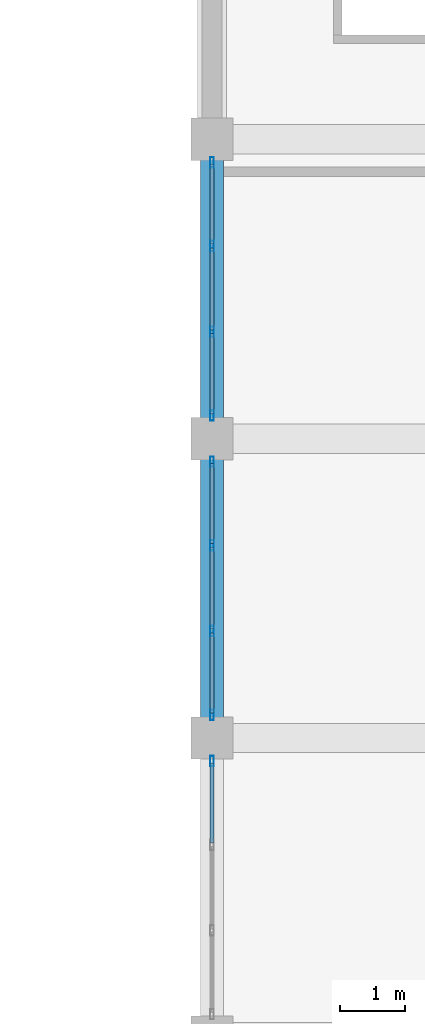
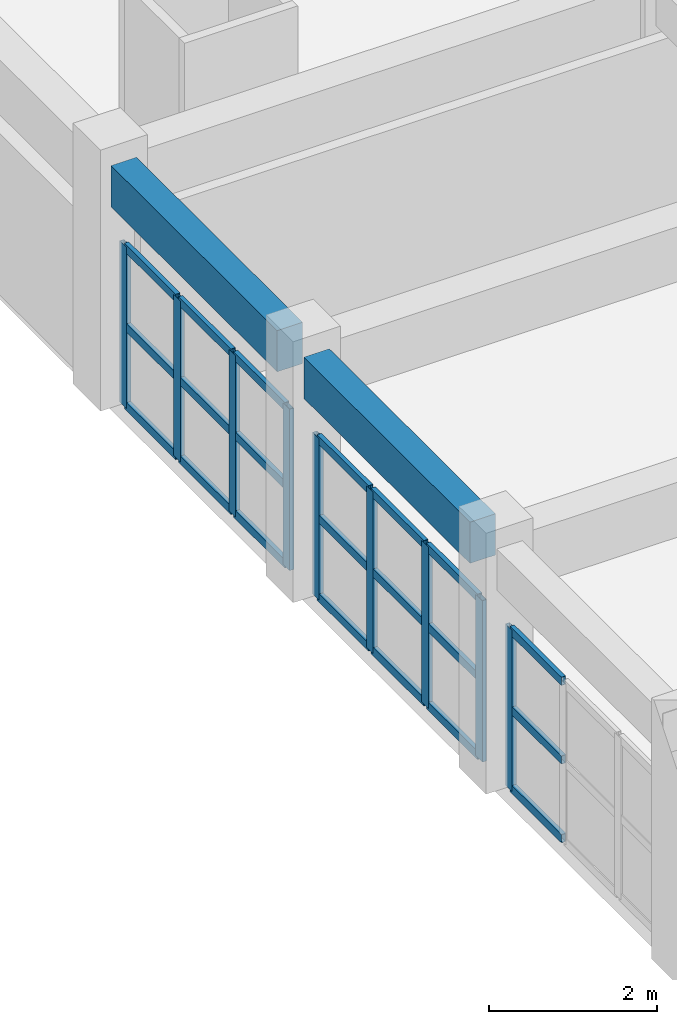
# One storey, part 12 of 74: 30 members, 2 beams, 3 elements without a shape of their own.
"""IFC4 building model written with IfcOpenShell, lengths in metres."""

import ifcopenshell
import ifcopenshell.guid

model = None  # the IFC model being written
_history = None  # IfcOwnerHistory: only IFC2X3 demands one
_inside = {}  # id of a spatial element -> (the spatial element, [elements in it])
_under = {}  # id of a project, library or spatial element -> (it, [spatial elements below it])
_declared = {}  # id of a project -> (the project, [libraries it declares])
_typed = {}  # id of a type object -> (the type object, [elements of that type])
_made_of = {}  # id of a material, layer set ... -> (it, [elements and type objects made of it])


def new_model(schema):
    """Start an empty IFC model of exactly this schema.

    Asked for "IFC4X3", IfcOpenShell would pick the latest addendum, in which some entities
    have other attributes; the version numbers below select the first issue.
    IFC2X3 requires an IfcOwnerHistory on every rooted entity: one is made here for all.
    """
    global model, _history
    if schema == "IFC4X3":
        model = ifcopenshell.file(schema_version=(4, 3, 0, 0))
    else:
        model = ifcopenshell.file(schema=schema)
    _inside.clear()
    _under.clear()
    _declared.clear()
    _typed.clear()
    _made_of.clear()
    _history = None
    if model.schema == "IFC2X3":
        org = make("IfcOrganization", Name="unknown")
        user = make(
            "IfcPersonAndOrganization",
            ThePerson=make("IfcPerson", FamilyName="unknown"),
            TheOrganization=org,
        )
        app = make(
            "IfcApplication",
            ApplicationDeveloper=org,
            Version="unknown",
            ApplicationFullName="unknown",
            ApplicationIdentifier="unknown",
        )
        _history = make(
            "IfcOwnerHistory",
            OwningUser=user,
            OwningApplication=app,
            ChangeAction="ADDED",
            CreationDate=0,
        )
    return model


def make(cls, **values):
    """One entity of the class cls with the attributes given. An attribute that is None is left unset."""
    return model.create_entity(
        cls, **{name: value for name, value in values.items() if value is not None}
    )


def rooted(cls, **values):
    """An entity with a GlobalId (a new one), such as an element, a storey or a relation."""
    return make(cls, GlobalId=ifcopenshell.guid.new(), OwnerHistory=_history, **values)


def si_unit(unit_type, name, prefix=None):
    """IfcSIUnit, for example si_unit("LENGTHUNIT", "METRE", prefix="MILLI")."""
    return make("IfcSIUnit", UnitType=unit_type, Prefix=prefix, Name=name)


def assignment(units):
    """IfcUnitAssignment: the units of a project."""
    return None if units is None else make("IfcUnitAssignment", Units=units)


def point(xyz):
    """IfcCartesianPoint."""
    return None if xyz is None else make("IfcCartesianPoint", Coordinates=xyz)


def direction(xyz):
    """IfcDirection."""
    return None if xyz is None else make("IfcDirection", DirectionRatios=xyz)


def frame(location, z_axis=None, x_axis=None):
    """IfcAxis2Placement3D, a coordinate frame: its origin and axes. An axis left out is left unset."""
    return make(
        "IfcAxis2Placement3D",
        Location=point(location),
        Axis=direction(z_axis),
        RefDirection=direction(x_axis),
    )


def frame_2d(location, x_axis=None):
    """IfcAxis2Placement2D, a coordinate frame in the plane: its origin and x axis."""
    return make(
        "IfcAxis2Placement2D", Location=point(location), RefDirection=direction(x_axis)
    )


def origin():
    """The frame at (0, 0, 0) with its axes left unset."""
    return frame((0.0, 0.0, 0.0))


def origin_2d():
    """The frame at (0, 0) in the plane with its x axis left unset."""
    return frame_2d((0.0, 0.0))


def place(relative_to, where):
    """IfcLocalPlacement: puts the frame where relative to a parent placement (None: the world)."""
    return make(
        "IfcLocalPlacement", PlacementRelTo=relative_to, RelativePlacement=where
    )


def context(
    kind, dimensions, precision=None, world=None, true_north=None, identifier=None
):
    """IfcGeometricRepresentationContext, for example the 3D "Model" context."""
    return make(
        "IfcGeometricRepresentationContext",
        ContextIdentifier=identifier,
        ContextType=kind,
        CoordinateSpaceDimension=dimensions,
        Precision=precision,
        WorldCoordinateSystem=world,
        TrueNorth=true_north,
    )


def subcontext(parent, identifier, kind, view, scale=None):
    """IfcGeometricRepresentationSubContext, for example "Body" below "Model"."""
    return make(
        "IfcGeometricRepresentationSubContext",
        ContextIdentifier=identifier,
        ContextType=kind,
        ParentContext=parent,
        TargetScale=scale,
        TargetView=view,
    )


def project(units=None, contexts=None):
    """IfcProject with its units and contexts."""
    return rooted(
        "IfcProject",
        Name="project",
        RepresentationContexts=contexts,
        UnitsInContext=assignment(units),
    )


def spatial(cls, under=None, at=None, **own):
    """A site, building, storey or space (cls), placed at a placement, below another one or the project."""
    s = rooted(cls, ObjectPlacement=at, **own)
    if under is not None:
        _under.setdefault(under.id(), (under, []))[1].append(s)
    return s


def profile(cls, at=None, kind="AREA", **sizes):
    """A parametric profile (cls). Its sizes go by their IFC names, for example OverallWidth=200.0."""
    return make(cls, ProfileType=kind, Position=at, **sizes)


def rectangle(**sizes):
    """IfcRectangleProfileDef."""
    return profile("IfcRectangleProfileDef", **sizes)


def hollow_rectangle(**sizes):
    """IfcRectangleHollowProfileDef."""
    return profile("IfcRectangleHollowProfileDef", **sizes)


def extrude(swept, where, along, depth):
    """IfcExtrudedAreaSolid: the profile swept, set in the frame where, extruded along a direction by depth."""
    return make(
        "IfcExtrudedAreaSolid",
        SweptArea=swept,
        Position=where,
        ExtrudedDirection=direction(along),
        Depth=depth,
    )


def shape(context_of_items, identifier, shape_type, items):
    """IfcShapeRepresentation: the items that make up one representation, for example the "Body"."""
    return make(
        "IfcShapeRepresentation",
        ContextOfItems=context_of_items,
        RepresentationIdentifier=identifier,
        RepresentationType=shape_type,
        Items=items,
    )


def material(Name=None, Category=None):
    """IfcMaterial."""
    return make("IfcMaterial", Name=Name, Category=Category)


def layer(
    of_material, thickness, ventilated=None, Name=None, Category=None, Priority=None
):
    """IfcMaterialLayer: one layer of a wall or slab, of a material (None: an air gap)."""
    return make(
        "IfcMaterialLayer",
        Material=of_material,
        LayerThickness=thickness,
        IsVentilated=ventilated,
        Name=Name,
        Category=Category,
        Priority=Priority,
    )


def layer_set(layers, Name=None):
    """IfcMaterialLayerSet."""
    return make("IfcMaterialLayerSet", MaterialLayers=layers, LayerSetName=Name)


def material_profile(
    of_material, cross_section, Name=None, Category=None, Priority=None
):
    """IfcMaterialProfile: a cross section and its material."""
    return make(
        "IfcMaterialProfile",
        Name=Name,
        Material=of_material,
        Profile=cross_section,
        Priority=Priority,
        Category=Category,
    )


def profile_set(profiles, Name=None, composite=None):
    """IfcMaterialProfileSet."""
    return make(
        "IfcMaterialProfileSet",
        Name=Name,
        MaterialProfiles=profiles,
        CompositeProfile=composite,
    )


def made_of(thing, what):
    """Note that an element or type object is made of a material, layer set ...; save() writes the relation."""
    if what is not None:
        _made_of.setdefault(what.id(), (what, []))[1].append(thing)
    return thing


def type_object(cls, material=None, **own):
    """A type object (cls), such as IfcWallType, which elements share."""
    return made_of(rooted(cls, **own), material)


def element(
    cls,
    number,
    at=None,
    inside=None,
    cuts=None,
    type_object=None,
    material=None,
    context=None,
    identifier="Body",
    shape_type=None,
    held_by="IfcProductDefinitionShape",
    body=None,
    shapes=None,
    **own,
):
    """One element of the class cls, such as IfcWall. Its Tag is "e" and its number.

    at: its placement. inside: the storey or other place that contains it. cuts: it is an
    opening in that element (IfcRelVoidsElement). A single representation is given by context,
    identifier, shape_type and body (its items); several are given by shapes. held_by: the class
    of the entity that holds the representations. save() writes the other relations.
    """
    e = rooted(cls, Tag="e%d" % number, ObjectPlacement=at, **own)
    if body is not None:
        shapes = [shape(context, identifier, shape_type, body)]
    if shapes is not None:
        e.Representation = make(held_by, Representations=shapes)
    if inside is not None:
        _inside.setdefault(inside.id(), (inside, []))[1].append(e)
    if cuts is not None:
        rooted(
            "IfcRelVoidsElement", RelatingBuildingElement=cuts, RelatedOpeningElement=e
        )
    if type_object is not None:
        _typed.setdefault(type_object.id(), (type_object, []))[1].append(e)
    return made_of(e, material)


def aggregate(whole, parts):
    """IfcRelAggregates: a whole, such as a stair, and the parts it consists of."""
    return rooted("IfcRelAggregates", RelatingObject=whole, RelatedObjects=parts)


def save(model, path):
    """Write the relations noted so far, then the file.

    IfcRelAggregates (storeys below a building ...), IfcRelContainedInSpatialStructure (elements
    in a storey), IfcRelDefinesByType, IfcRelAssociatesMaterial and IfcRelDeclares: one each for
    every whole, place, type object, material and project.
    """
    for whole, parts in _under.values():
        aggregate(whole, parts)
    for where, things in _inside.values():
        rooted(
            "IfcRelContainedInSpatialStructure",
            RelatedElements=things,
            RelatingStructure=where,
        )
    for kind, things in _typed.values():
        rooted("IfcRelDefinesByType", RelatedObjects=things, RelatingType=kind)
    for what, things in _made_of.values():
        rooted("IfcRelAssociatesMaterial", RelatedObjects=things, RelatingMaterial=what)
    for by, libraries in _declared.values():
        rooted("IfcRelDeclares", RelatingContext=by, RelatedDefinitions=libraries)
    model.write(path)


model = new_model("IFC4")

# Units and contexts
model_context = context("Model", 3, precision=1e-05, world=origin(), true_north=direction((0.0, 1.0)))
body_context = subcontext(model_context, "Body", "Model", "MODEL_VIEW")
ifc_project = project(units=[si_unit("LENGTHUNIT", "METRE"), si_unit("AREAUNIT", "SQUARE_METRE"), si_unit("VOLUMEUNIT", "CUBIC_METRE"), si_unit("PLANEANGLEUNIT", "RADIAN"), si_unit("MASSUNIT", "GRAM", prefix="KILO")], contexts=[model_context])

# Site, building, storey
site_placement = place(None, origin())
site = spatial("IfcSite", under=ifc_project, at=site_placement, CompositionType="ELEMENT")
building_placement = place(site_placement, origin())
building = spatial("IfcBuilding", under=site, at=building_placement, Name="Muzn Square Opera House", CompositionType="ELEMENT")
storey_placement = place(building_placement, frame((0.0, 0.0, 14.199951171875)))
storey = spatial("IfcBuildingStorey", under=building, at=storey_placement, Name="L03", CompositionType="ELEMENT", Elevation=14.199951171875)

# Curtain wall, member
ifc_material_1 = material(Name="Low-E laminated acoustic double glazing", Category="glass")
ifc_layer = layer(ifc_material_1, 0.159912109375, Name="Low-E laminated acoustic double glazing", Category="glass")
ifc_layer_set = layer_set([ifc_layer], Name="Low-E laminated acoustic double glazing")
curtain_wall_type = type_object("IfcCurtainWallType", Name="Glazed Curtain Wall WestCourt 3950x2350", PredefinedType="USERDEFINED", material=ifc_layer_set)
curtain_wall_1_placement = place(storey_placement, origin())
curtain_wall_1 = element("IfcCurtainWall", 1, at=curtain_wall_1_placement, inside=storey, type_object=curtain_wall_type, Name="Glazed Curtain Wall CW-L03-153", ObjectType="GLAZED CURTAIN WALL", PredefinedType="USERDEFINED")
ifc_material_2 = material(Name="Anodised bronze aluminium 6063-T6", Category="metal")
ifc_material_profile_1 = material_profile(ifc_material_2, hollow_rectangle(XDim=0.06005859375, YDim=0.159912109375, WallThickness=0.00390625, at=origin_2d()), Name="ALU 160x60x4", Category="metal")
ifc_profile_set_1 = profile_set([ifc_material_profile_1], Name="Anodised bronze aluminium 6063-T6")
member_type_1 = type_object("IfcMemberType", Name="Curtain Wall Mullion 160x60", PredefinedType="MULLION", material=ifc_profile_set_1)
member_1_placement = place(storey_placement, frame((19.0, 63.044921875, 0.0), z_axis=(0.0, 0.0, 1.0), x_axis=(-1.0, 0.0, 0.0)))
member_1 = element("IfcMember", 2, at=member_1_placement, type_object=member_type_1, Name="CW-WCT-39x23 mullion 4", PredefinedType="MULLION", context=body_context, shape_type="SweptSolid", body=[
    extrude(hollow_rectangle(XDim=0.06005859375, YDim=0.159912109375, WallThickness=0.00390625, at=origin_2d()), origin(), (0.0, 0.0, 1.0), 2.35009765625),
])

# Curtain wall, members
curtain_wall_2_placement = place(storey_placement, origin())
curtain_wall_2 = element("IfcCurtainWall", 3, at=curtain_wall_2_placement, inside=storey, type_object=curtain_wall_type, Name="Glazed Curtain Wall CW-L03-154", ObjectType="GLAZED CURTAIN WALL", PredefinedType="USERDEFINED")
member_2_placement = place(storey_placement, frame((19.0, 63.7548828125, 0.0), z_axis=(0.0, 0.0, 1.0), x_axis=(-1.0, 0.0, 0.0)))
member_2 = element("IfcMember", 4, at=member_2_placement, type_object=member_type_1, Name="CW-WCT-39x23 mullion 1", PredefinedType="MULLION", context=body_context, shape_type="SweptSolid", body=[
    extrude(hollow_rectangle(XDim=0.06005859375, YDim=0.159912109375, WallThickness=0.00390625, at=origin_2d()), origin(), (0.0, 0.0, 1.0), 2.35009765625),
])
member_3_placement = place(storey_placement, frame((19.0, 65.041748046875, 0.0), z_axis=(0.0, 0.0, 1.0), x_axis=(-1.0, 0.0, 0.0)))
member_3 = element("IfcMember", 5, at=member_3_placement, type_object=member_type_1, Name="CW-WCT-39x23 mullion 2", PredefinedType="MULLION", context=body_context, shape_type="SweptSolid", body=[
    extrude(hollow_rectangle(XDim=0.06005859375, YDim=0.159912109375, WallThickness=0.00390625, at=origin_2d()), origin(), (0.0, 0.0, 1.0), 2.35009765625),
])
member_4_placement = place(storey_placement, frame((19.0, 66.3583984375, 0.0), z_axis=(0.0, 0.0, 1.0), x_axis=(-1.0, 0.0, 0.0)))
member_4 = element("IfcMember", 6, at=member_4_placement, type_object=member_type_1, Name="CW-WCT-39x23 mullion 3", PredefinedType="MULLION", context=body_context, shape_type="SweptSolid", body=[
    extrude(hollow_rectangle(XDim=0.06005859375, YDim=0.159912109375, WallThickness=0.00390625, at=origin_2d()), origin(), (0.0, 0.0, 1.0), 2.35009765625),
])
member_5_placement = place(storey_placement, frame((19.0, 67.64501953125, 0.0), z_axis=(0.0, 0.0, 1.0), x_axis=(-1.0, 0.0, 0.0)))
member_5 = element("IfcMember", 7, at=member_5_placement, type_object=member_type_1, Name="CW-WCT-39x23 mullion 4", PredefinedType="MULLION", context=body_context, shape_type="SweptSolid", body=[
    extrude(hollow_rectangle(XDim=0.06005859375, YDim=0.159912109375, WallThickness=0.00390625, at=origin_2d()), origin(), (0.0, 0.0, 1.0), 2.35009765625),
])

curtain_wall_3_placement = place(storey_placement, origin())
curtain_wall_3 = element("IfcCurtainWall", 8, at=curtain_wall_3_placement, inside=storey, type_object=curtain_wall_type, Name="Glazed Curtain Wall CW-L03-155", ObjectType="GLAZED CURTAIN WALL", PredefinedType="USERDEFINED")
member_6_placement = place(storey_placement, frame((19.0, 68.35498046875, 0.0), z_axis=(0.0, 0.0, 1.0), x_axis=(-1.0, 0.0, 0.0)))
member_6 = element("IfcMember", 9, at=member_6_placement, type_object=member_type_1, Name="CW-WCT-39x23 mullion 1", PredefinedType="MULLION", context=body_context, shape_type="SweptSolid", body=[
    extrude(hollow_rectangle(XDim=0.06005859375, YDim=0.159912109375, WallThickness=0.00390625, at=origin_2d()), origin(), (0.0, 0.0, 1.0), 2.35009765625),
])
member_7_placement = place(storey_placement, frame((19.0, 69.6416015625, 0.0), z_axis=(0.0, 0.0, 1.0), x_axis=(-1.0, 0.0, 0.0)))
member_7 = element("IfcMember", 10, at=member_7_placement, type_object=member_type_1, Name="CW-WCT-39x23 mullion 2", PredefinedType="MULLION", context=body_context, shape_type="SweptSolid", body=[
    extrude(hollow_rectangle(XDim=0.06005859375, YDim=0.159912109375, WallThickness=0.00390625, at=origin_2d()), origin(), (0.0, 0.0, 1.0), 2.35009765625),
])
member_8_placement = place(storey_placement, frame((19.0, 70.958251953125, 0.0), z_axis=(0.0, 0.0, 1.0), x_axis=(-1.0, 0.0, 0.0)))
member_8 = element("IfcMember", 11, at=member_8_placement, type_object=member_type_1, Name="CW-WCT-39x23 mullion 3", PredefinedType="MULLION", context=body_context, shape_type="SweptSolid", body=[
    extrude(hollow_rectangle(XDim=0.06005859375, YDim=0.159912109375, WallThickness=0.00390625, at=origin_2d()), origin(), (0.0, 0.0, 1.0), 2.35009765625),
])
member_9_placement = place(storey_placement, frame((19.0, 72.2451171875, 0.0), z_axis=(0.0, 0.0, 1.0), x_axis=(-1.0, 0.0, 0.0)))
member_9 = element("IfcMember", 12, at=member_9_placement, type_object=member_type_1, Name="CW-WCT-39x23 mullion 4", PredefinedType="MULLION", context=body_context, shape_type="SweptSolid", body=[
    extrude(hollow_rectangle(XDim=0.06005859375, YDim=0.159912109375, WallThickness=0.00390625, at=origin_2d()), origin(), (0.0, 0.0, 1.0), 2.35009765625),
])

# Member
ifc_material_profile_2 = material_profile(ifc_material_2, hollow_rectangle(XDim=0.06005859375, YDim=0.1201171875, WallThickness=0.00390625, at=origin_2d()), Name="ALU 120x60x4", Category="metal")
ifc_profile_set_2 = profile_set([ifc_material_profile_2], Name="Anodised bronze aluminium 6063-T6")
member_type_2 = type_object("IfcMemberType", Name="Curtain Wall Transom 120x60", PredefinedType="USERDEFINED", material=ifc_profile_set_2)
member_10_placement = place(storey_placement, frame((19.0, 61.788330078125, 0.030029296875), z_axis=(0.0, 1.0, 0.0), x_axis=(-1.0, 0.0, 0.0)))
member_10 = element("IfcMember", 13, at=member_10_placement, type_object=member_type_2, Name="CW-WCT-39x23 transom 3.1", ObjectType="TRANSOM", PredefinedType="USERDEFINED", context=body_context, shape_type="SweptSolid", body=[
    extrude(hollow_rectangle(XDim=0.06005859375, YDim=0.1201171875, WallThickness=0.00390625, at=origin_2d()), origin(), (0.0, 0.0, 1.0), 1.2265625),
])

member_11_placement = place(storey_placement, frame((19.0, 61.788330078125, 1.175048828125), z_axis=(0.0, 1.0, 0.0), x_axis=(-1.0, 0.0, 0.0)))
member_11 = element("IfcMember", 14, at=member_11_placement, type_object=member_type_2, Name="CW-WCT-39x23 transom 3.2", ObjectType="TRANSOM", PredefinedType="USERDEFINED", context=body_context, shape_type="SweptSolid", body=[
    extrude(hollow_rectangle(XDim=0.06005859375, YDim=0.1201171875, WallThickness=0.00390625, at=origin_2d()), origin(), (0.0, 0.0, 1.0), 1.2265625),
])

member_12_placement = place(storey_placement, frame((19.0, 61.788330078125, 2.320068359375), z_axis=(0.0, 1.0, 0.0), x_axis=(-1.0, 0.0, 0.0)))
member_12 = element("IfcMember", 15, at=member_12_placement, type_object=member_type_2, Name="CW-WCT-39x23 transom 3.3", ObjectType="TRANSOM", PredefinedType="USERDEFINED", context=body_context, shape_type="SweptSolid", body=[
    extrude(hollow_rectangle(XDim=0.06005859375, YDim=0.1201171875, WallThickness=0.00390625, at=origin_2d()), origin(), (0.0, 0.0, 1.0), 1.2265625),
])

aggregate(curtain_wall_1, [member_1, member_10, member_11, member_12])

member_13_placement = place(storey_placement, frame((19.0, 63.784912109375, 0.030029296875), z_axis=(0.0, 1.0, 0.0), x_axis=(-1.0, 0.0, 0.0)))
member_13 = element("IfcMember", 16, at=member_13_placement, type_object=member_type_2, Name="CW-WCT-39x23 transom 1.1", ObjectType="TRANSOM", PredefinedType="USERDEFINED", context=body_context, shape_type="SweptSolid", body=[
    extrude(hollow_rectangle(XDim=0.06005859375, YDim=0.1201171875, WallThickness=0.00390625, at=origin_2d()), origin(), (0.0, 0.0, 1.0), 1.226806640625),
])

member_14_placement = place(storey_placement, frame((19.0, 63.784912109375, 1.175048828125), z_axis=(0.0, 1.0, 0.0), x_axis=(-1.0, 0.0, 0.0)))
member_14 = element("IfcMember", 17, at=member_14_placement, type_object=member_type_2, Name="CW-WCT-39x23 transom 1.2", ObjectType="TRANSOM", PredefinedType="USERDEFINED", context=body_context, shape_type="SweptSolid", body=[
    extrude(hollow_rectangle(XDim=0.06005859375, YDim=0.1201171875, WallThickness=0.00390625, at=origin_2d()), origin(), (0.0, 0.0, 1.0), 1.226806640625),
])

member_15_placement = place(storey_placement, frame((19.0, 63.784912109375, 2.320068359375), z_axis=(0.0, 1.0, 0.0), x_axis=(-1.0, 0.0, 0.0)))
member_15 = element("IfcMember", 18, at=member_15_placement, type_object=member_type_2, Name="CW-WCT-39x23 transom 1.3", ObjectType="TRANSOM", PredefinedType="USERDEFINED", context=body_context, shape_type="SweptSolid", body=[
    extrude(hollow_rectangle(XDim=0.06005859375, YDim=0.1201171875, WallThickness=0.00390625, at=origin_2d()), origin(), (0.0, 0.0, 1.0), 1.226806640625),
])

member_16_placement = place(storey_placement, frame((19.0, 65.07177734375, 0.030029296875), z_axis=(0.0, 1.0, 0.0), x_axis=(-1.0, 0.0, 0.0)))
member_16 = element("IfcMember", 19, at=member_16_placement, type_object=member_type_2, Name="CW-WCT-39x23 transom 2.1", ObjectType="TRANSOM", PredefinedType="USERDEFINED", context=body_context, shape_type="SweptSolid", body=[
    extrude(hollow_rectangle(XDim=0.06005859375, YDim=0.1201171875, WallThickness=0.00390625, at=origin_2d()), origin(), (0.0, 0.0, 1.0), 1.256591796875),
])

member_17_placement = place(storey_placement, frame((19.0, 65.07177734375, 1.175048828125), z_axis=(0.0, 1.0, 0.0), x_axis=(-1.0, 0.0, 0.0)))
member_17 = element("IfcMember", 20, at=member_17_placement, type_object=member_type_2, Name="CW-WCT-39x23 transom 2.2", ObjectType="TRANSOM", PredefinedType="USERDEFINED", context=body_context, shape_type="SweptSolid", body=[
    extrude(hollow_rectangle(XDim=0.06005859375, YDim=0.1201171875, WallThickness=0.00390625, at=origin_2d()), origin(), (0.0, 0.0, 1.0), 1.256591796875),
])

member_18_placement = place(storey_placement, frame((19.0, 65.07177734375, 2.320068359375), z_axis=(0.0, 1.0, 0.0), x_axis=(-1.0, 0.0, 0.0)))
member_18 = element("IfcMember", 21, at=member_18_placement, type_object=member_type_2, Name="CW-WCT-39x23 transom 2.3", ObjectType="TRANSOM", PredefinedType="USERDEFINED", context=body_context, shape_type="SweptSolid", body=[
    extrude(hollow_rectangle(XDim=0.06005859375, YDim=0.1201171875, WallThickness=0.00390625, at=origin_2d()), origin(), (0.0, 0.0, 1.0), 1.256591796875),
])

member_19_placement = place(storey_placement, frame((19.0, 66.388427734375, 0.030029296875), z_axis=(0.0, 1.0, 0.0), x_axis=(-1.0, 0.0, 0.0)))
member_19 = element("IfcMember", 22, at=member_19_placement, type_object=member_type_2, Name="CW-WCT-39x23 transom 3.1", ObjectType="TRANSOM", PredefinedType="USERDEFINED", context=body_context, shape_type="SweptSolid", body=[
    extrude(hollow_rectangle(XDim=0.06005859375, YDim=0.1201171875, WallThickness=0.00390625, at=origin_2d()), origin(), (0.0, 0.0, 1.0), 1.2265625),
])

member_20_placement = place(storey_placement, frame((19.0, 66.388427734375, 1.175048828125), z_axis=(0.0, 1.0, 0.0), x_axis=(-1.0, 0.0, 0.0)))
member_20 = element("IfcMember", 23, at=member_20_placement, type_object=member_type_2, Name="CW-WCT-39x23 transom 3.2", ObjectType="TRANSOM", PredefinedType="USERDEFINED", context=body_context, shape_type="SweptSolid", body=[
    extrude(hollow_rectangle(XDim=0.06005859375, YDim=0.1201171875, WallThickness=0.00390625, at=origin_2d()), origin(), (0.0, 0.0, 1.0), 1.2265625),
])

member_21_placement = place(storey_placement, frame((19.0, 66.388427734375, 2.320068359375), z_axis=(0.0, 1.0, 0.0), x_axis=(-1.0, 0.0, 0.0)))
member_21 = element("IfcMember", 24, at=member_21_placement, type_object=member_type_2, Name="CW-WCT-39x23 transom 3.3", ObjectType="TRANSOM", PredefinedType="USERDEFINED", context=body_context, shape_type="SweptSolid", body=[
    extrude(hollow_rectangle(XDim=0.06005859375, YDim=0.1201171875, WallThickness=0.00390625, at=origin_2d()), origin(), (0.0, 0.0, 1.0), 1.2265625),
])

aggregate(curtain_wall_2, [member_2, member_3, member_4, member_5, member_13, member_14, member_15, member_16, member_17, member_18, member_19, member_20, member_21])

member_22_placement = place(storey_placement, frame((19.0, 68.385009765625, 0.030029296875), z_axis=(0.0, 1.0, 0.0), x_axis=(-1.0, 0.0, 0.0)))
member_22 = element("IfcMember", 25, at=member_22_placement, type_object=member_type_2, Name="CW-WCT-39x23 transom 1.1", ObjectType="TRANSOM", PredefinedType="USERDEFINED", context=body_context, shape_type="SweptSolid", body=[
    extrude(hollow_rectangle(XDim=0.06005859375, YDim=0.1201171875, WallThickness=0.00390625, at=origin_2d()), origin(), (0.0, 0.0, 1.0), 1.2265625),
])

member_23_placement = place(storey_placement, frame((19.0, 68.385009765625, 1.175048828125), z_axis=(0.0, 1.0, 0.0), x_axis=(-1.0, 0.0, 0.0)))
member_23 = element("IfcMember", 26, at=member_23_placement, type_object=member_type_2, Name="CW-WCT-39x23 transom 1.2", ObjectType="TRANSOM", PredefinedType="USERDEFINED", context=body_context, shape_type="SweptSolid", body=[
    extrude(hollow_rectangle(XDim=0.06005859375, YDim=0.1201171875, WallThickness=0.00390625, at=origin_2d()), origin(), (0.0, 0.0, 1.0), 1.2265625),
])

member_24_placement = place(storey_placement, frame((19.0, 68.385009765625, 2.320068359375), z_axis=(0.0, 1.0, 0.0), x_axis=(-1.0, 0.0, 0.0)))
member_24 = element("IfcMember", 27, at=member_24_placement, type_object=member_type_2, Name="CW-WCT-39x23 transom 1.3", ObjectType="TRANSOM", PredefinedType="USERDEFINED", context=body_context, shape_type="SweptSolid", body=[
    extrude(hollow_rectangle(XDim=0.06005859375, YDim=0.1201171875, WallThickness=0.00390625, at=origin_2d()), origin(), (0.0, 0.0, 1.0), 1.2265625),
])

member_25_placement = place(storey_placement, frame((19.0, 69.671630859375, 0.030029296875), z_axis=(0.0, 1.0, 0.0), x_axis=(-1.0, 0.0, 0.0)))
member_25 = element("IfcMember", 28, at=member_25_placement, type_object=member_type_2, Name="CW-WCT-39x23 transom 2.1", ObjectType="TRANSOM", PredefinedType="USERDEFINED", context=body_context, shape_type="SweptSolid", body=[
    extrude(hollow_rectangle(XDim=0.06005859375, YDim=0.1201171875, WallThickness=0.00390625, at=origin_2d()), origin(), (0.0, 0.0, 1.0), 1.256591796875),
])

member_26_placement = place(storey_placement, frame((19.0, 69.671630859375, 1.175048828125), z_axis=(0.0, 1.0, 0.0), x_axis=(-1.0, 0.0, 0.0)))
member_26 = element("IfcMember", 29, at=member_26_placement, type_object=member_type_2, Name="CW-WCT-39x23 transom 2.2", ObjectType="TRANSOM", PredefinedType="USERDEFINED", context=body_context, shape_type="SweptSolid", body=[
    extrude(hollow_rectangle(XDim=0.06005859375, YDim=0.1201171875, WallThickness=0.00390625, at=origin_2d()), origin(), (0.0, 0.0, 1.0), 1.256591796875),
])

member_27_placement = place(storey_placement, frame((19.0, 69.671630859375, 2.320068359375), z_axis=(0.0, 1.0, 0.0), x_axis=(-1.0, 0.0, 0.0)))
member_27 = element("IfcMember", 30, at=member_27_placement, type_object=member_type_2, Name="CW-WCT-39x23 transom 2.3", ObjectType="TRANSOM", PredefinedType="USERDEFINED", context=body_context, shape_type="SweptSolid", body=[
    extrude(hollow_rectangle(XDim=0.06005859375, YDim=0.1201171875, WallThickness=0.00390625, at=origin_2d()), origin(), (0.0, 0.0, 1.0), 1.256591796875),
])

member_28_placement = place(storey_placement, frame((19.0, 70.98828125, 0.030029296875), z_axis=(0.0, 1.0, 0.0), x_axis=(-1.0, 0.0, 0.0)))
member_28 = element("IfcMember", 31, at=member_28_placement, type_object=member_type_2, Name="CW-WCT-39x23 transom 3.1", ObjectType="TRANSOM", PredefinedType="USERDEFINED", context=body_context, shape_type="SweptSolid", body=[
    extrude(hollow_rectangle(XDim=0.06005859375, YDim=0.1201171875, WallThickness=0.00390625, at=origin_2d()), origin(), (0.0, 0.0, 1.0), 1.226806640625),
])

member_29_placement = place(storey_placement, frame((19.0, 70.98828125, 1.175048828125), z_axis=(0.0, 1.0, 0.0), x_axis=(-1.0, 0.0, 0.0)))
member_29 = element("IfcMember", 32, at=member_29_placement, type_object=member_type_2, Name="CW-WCT-39x23 transom 3.2", ObjectType="TRANSOM", PredefinedType="USERDEFINED", context=body_context, shape_type="SweptSolid", body=[
    extrude(hollow_rectangle(XDim=0.06005859375, YDim=0.1201171875, WallThickness=0.00390625, at=origin_2d()), origin(), (0.0, 0.0, 1.0), 1.226806640625),
])

member_30_placement = place(storey_placement, frame((19.0, 70.98828125, 2.320068359375), z_axis=(0.0, 1.0, 0.0), x_axis=(-1.0, 0.0, 0.0)))
member_30 = element("IfcMember", 33, at=member_30_placement, type_object=member_type_2, Name="CW-WCT-39x23 transom 3.3", ObjectType="TRANSOM", PredefinedType="USERDEFINED", context=body_context, shape_type="SweptSolid", body=[
    extrude(hollow_rectangle(XDim=0.06005859375, YDim=0.1201171875, WallThickness=0.00390625, at=origin_2d()), origin(), (0.0, 0.0, 1.0), 1.226806640625),
])

aggregate(curtain_wall_3, [member_6, member_7, member_8, member_9, member_22, member_23, member_24, member_25, member_26, member_27, member_28, member_29, member_30])

# Beams
ifc_material_3 = material(Name="Concrete C40/50", Category="concrete")
ifc_material_profile_3 = material_profile(ifc_material_3, rectangle(XDim=0.35009765625, YDim=0.60009765625, at=origin_2d()), Name="RCB 350x600", Category="concrete")
ifc_profile_set_3 = profile_set([ifc_material_profile_3], Name="Concrete C40/50")
beam_type = type_object("IfcBeamType", Name="Primary Girder 350x600", PredefinedType="BEAM", material=ifc_profile_set_3)
for number, where, z_axis, x_axis, name in (
    (34, (19.0, 63.717041015625, 3.219970703125), (0.0, 1.0, 0.0), (-1.0, 0.0, 0.0), "Primary Girder BM-L03-BM-PG600-190_637_190_677-2522"),
    (35, (19.0, 68.31689453125, 3.219970703125), (0.0, 1.0, 0.0), (-1.0, 0.0, 0.0), "Primary Girder BM-L03-BM-PG600-190_683_190_723-2523"),
):
    element("IfcBeam", number, at=place(storey_placement, frame(where, z_axis=z_axis, x_axis=x_axis)), inside=storey, type_object=beam_type, Name=name, PredefinedType="BEAM", context=body_context, shape_type="SweptSolid", body=[
        extrude(rectangle(XDim=0.35009765625, YDim=0.60009765625, at=origin_2d()), origin(), (0.0, 0.0, 1.0), 3.966064453125),
    ])

save(model, "model.ifc")
